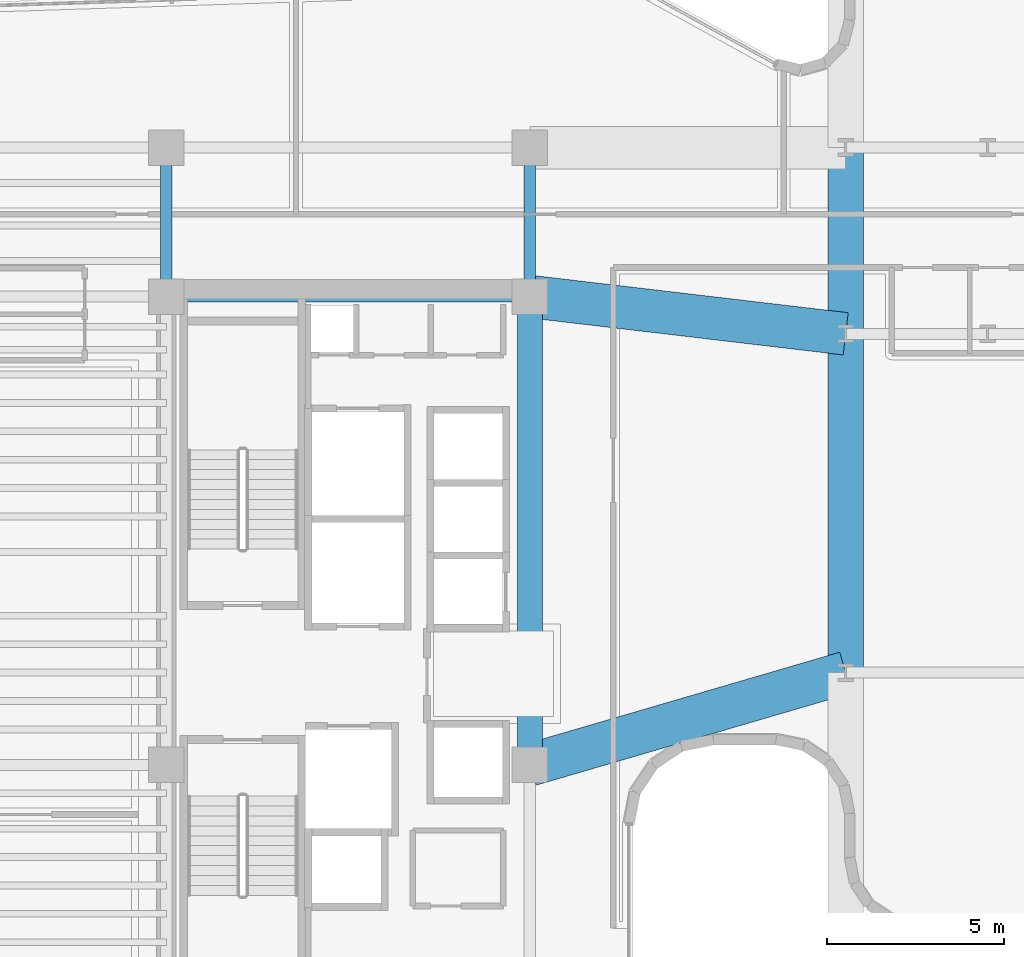
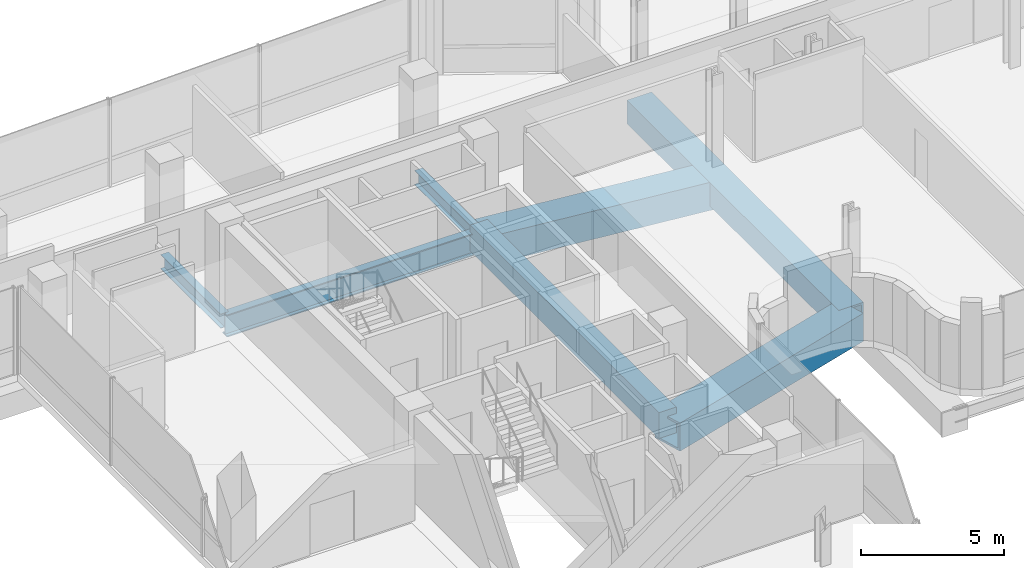
# One storey, part 9 of 35: 7 beams.
"""IFC4 building model written with IfcOpenShell, lengths in metres."""

from ifc_helpers import new_model, si_unit, direction, frame, origin, origin_2d, place, context, subcontext, project, spatial, rectangle, hollow_rectangle, i_section, extrude, source, transform, mapped, material, material_profile, profile_set, type_object, element, save


model = new_model("IFC4")

# Units and contexts
model_context = context("Model", 3, precision=1e-05, world=origin(), true_north=direction((0.0, 1.0)))
body_context = subcontext(model_context, "Body", "Model", "MODEL_VIEW")
ifc_project = project(units=[si_unit("LENGTHUNIT", "METRE"), si_unit("AREAUNIT", "SQUARE_METRE"), si_unit("VOLUMEUNIT", "CUBIC_METRE"), si_unit("PLANEANGLEUNIT", "RADIAN"), si_unit("MASSUNIT", "GRAM", prefix="KILO")], contexts=[model_context])

# Site, building, storey
site_placement = place(None, origin())
site = spatial("IfcSite", under=ifc_project, at=site_placement, CompositionType="ELEMENT")
building_placement = place(site_placement, origin())
building = spatial("IfcBuilding", under=site, at=building_placement, Name="Valdorenza Pilgrim Sanctuary Tower", CompositionType="ELEMENT")
storey_placement = place(building_placement, frame((0.0, 0.0, 192.35009765625)))
storey = spatial("IfcBuildingStorey", under=building, at=storey_placement, Name="L49", CompositionType="ELEMENT", Elevation=192.35009765625)

# Beams
ifc_material_1 = material(Name="Concrete C50/60", Category="concrete")
ifc_material_profile_1 = material_profile(ifc_material_1, rectangle(XDim=0.699951171875, YDim=1.10009765625, at=origin_2d()), Name="RC 1100x700")
ifc_profile_set_1 = profile_set([ifc_material_profile_1], Name="Concrete C50/60")
beam_type_1 = type_object("IfcBeamType", Name="STR-BM-LNT-1100", PredefinedType="LINTEL", material=ifc_profile_set_1)
shared_shape_1 = source(origin(), body_context, "Body", "SweptSolid", [
    extrude(rectangle(XDim=0.699951171875, YDim=1.10009765625, at=origin_2d()), origin(), (0.0, 0.0, 1.0), 13.2001953125),
])
beam_1_placement = place(storey_placement, frame((-12.39990234375, -2.60009765625, -0.590087890625), z_axis=(0.0, 1.0, 0.0), x_axis=(-1.0, 0.0, 0.0)))
element("IfcBeam", 1, at=beam_1_placement, inside=storey, type_object=beam_type_1, Name="L49 Core A Coupling Lintel Girder", PredefinedType="LINTEL", context=body_context, shape_type="MappedRepresentation", body=[
    mapped(shared_shape_1, transform((0.0, 0.0, 0.0), x_axis=(1.0, 0.0, 0.0), y_axis=(0.0, 1.0, 0.0), z_axis=(0.0, 0.0, 1.0), scale=1.0)),
])
ifc_material_2 = material(Name="Steel ASTM A992 Grade 50", Category="steel")
ifc_material_profile_2 = material_profile(ifc_material_2, i_section(OverallWidth=0.323974609375, OverallDepth=0.611083984375, WebThickness=0.0126953125, FlangeThickness=0.01904296875, at=origin_2d()), Name="W24X104")
ifc_profile_set_2 = profile_set([ifc_material_profile_2], Name="Steel ASTM A992 Grade 50")
beam_type_2 = type_object("IfcBeamType", Name="STR-BM-GRD-W24B", PredefinedType="BEAM", material=ifc_profile_set_2)
shared_shape_2 = source(origin(), body_context, "Body", "SweptSolid", [
    extrude(i_section(OverallWidth=0.323974609375, OverallDepth=0.611083984375, WebThickness=0.0126953125, FlangeThickness=0.01904296875, at=origin_2d()), origin(), (0.0, 0.0, 1.0), 4.199951171875),
])
for number, where, z_axis, x_axis, name in (
    (2, (-22.64990234375, 10.60009765625, -0.62548828125), (0.0, 1.0, 0.0), (-1.0, 0.0, 0.0), "L49 Core Tie Girder CA-W-N1N2"),
    (3, (-12.39990234375, 10.60009765625, -0.62548828125), (0.0, 1.0, 0.0), (-1.0, 0.0, 0.0), "L49 Core Tie Girder CA-E-N1N2"),
):
    element("IfcBeam", number, at=place(storey_placement, frame(where, z_axis=z_axis, x_axis=x_axis)), inside=storey, type_object=beam_type_2, Name=name, PredefinedType="BEAM", context=body_context, shape_type="MappedRepresentation", body=[
        mapped(shared_shape_2, transform((0.0, 0.0, 0.0), x_axis=(1.0, 0.0, 0.0), y_axis=(0.0, 1.0, 0.0), z_axis=(0.0, 0.0, 1.0), scale=1.0)),
    ])
ifc_material_profile_3 = material_profile(ifc_material_2, i_section(OverallWidth=0.31005859375, OverallDepth=0.949951171875, WebThickness=0.0244140625, FlangeThickness=0.0439453125, at=origin_2d()), Name="W36X256")
ifc_profile_set_3 = profile_set([ifc_material_profile_3], Name="Steel ASTM A992 Grade 50")
beam_type_3 = type_object("IfcBeamType", Name="STR-BM-GRD-W36B", PredefinedType="BEAM", material=ifc_profile_set_3)
shared_shape_3 = source(origin(), body_context, "Body", "SweptSolid", [
    extrude(i_section(OverallWidth=0.31005859375, OverallDepth=0.949951171875, WebThickness=0.0244140625, FlangeThickness=0.0439453125, at=origin_2d()), origin(), (0.0, 0.0, 1.0), 10.25),
])
beam_2_placement = place(storey_placement, frame((-22.64990234375, 10.60009765625, -0.795166015625), z_axis=(1.0, 0.0, 0.0), x_axis=(0.0, 1.0, 0.0)))
element("IfcBeam", 4, at=beam_2_placement, inside=storey, type_object=beam_type_3, Name="L49 Floor Girder CA-XC-N1", PredefinedType="BEAM", context=body_context, shape_type="MappedRepresentation", body=[
    mapped(shared_shape_3, transform((0.0, 0.0, 0.0), x_axis=(1.0, 0.0, 0.0), y_axis=(0.0, 1.0, 0.0), z_axis=(0.0, 0.0, 1.0), scale=1.0)),
])
ifc_material_3 = material(Name="Steel ASTM A572 Grade 42", Category="steel")
ifc_material_profile_4 = material_profile(ifc_material_3, hollow_rectangle(XDim=1.199951171875, YDim=1.199951171875, WallThickness=0.090087890625, at=origin_2d()), Name="BOX 1200x1200x90")
ifc_profile_set_4 = profile_set([ifc_material_profile_4], Name="Steel ASTM A572 Grade 42")
beam_type_4 = type_object("IfcBeamType", Name="STR-BM-TRF-1200", PredefinedType="BEAM", material=ifc_profile_set_4)
shared_shape_4 = source(origin(), body_context, "Body", "SweptSolid", [
    extrude(hollow_rectangle(XDim=1.199951171875, YDim=1.199951171875, WallThickness=0.090087890625, at=origin_2d()), origin(), (0.0, 0.0, 1.0), 9.27197265625),
])
beam_3_placement = place(storey_placement, frame((-12.39990234375, -2.60009765625, -0.920166015625), z_axis=(0.959875453664, 0.280426663234, 0.0), x_axis=(-0.280426663234, 0.959875453664, 0.0)))
element("IfcBeam", 5, at=beam_3_placement, inside=storey, type_object=beam_type_4, Name="L49 Portal Bridge Transfer Girder PRY-G1-P0", PredefinedType="BEAM", context=body_context, shape_type="MappedRepresentation", body=[
    mapped(shared_shape_4, transform((0.0, 0.0, 0.0), x_axis=(1.0, 0.0, 0.0), y_axis=(0.0, 1.0, 0.0), z_axis=(0.0, 0.0, 1.0), scale=1.0)),
])
shared_shape_5 = source(origin(), body_context, "Body", "SweptSolid", [
    extrude(hollow_rectangle(XDim=1.199951171875, YDim=1.199951171875, WallThickness=0.090087890625, at=origin_2d()), origin(), (0.0, 0.0, 1.0), 8.961669921875),
])
beam_4_placement = place(storey_placement, frame((-12.39990234375, 10.60009765625, -0.920166015625), z_axis=(0.993111684121, -0.117171595803, 0.0), x_axis=(0.117171595803, 0.993111684121, 0.0)))
element("IfcBeam", 6, at=beam_4_placement, inside=storey, type_object=beam_type_4, Name="L49 Portal Bridge Transfer Girder PRY-G1-P9", PredefinedType="BEAM", context=body_context, shape_type="MappedRepresentation", body=[
    mapped(shared_shape_5, transform((0.0, 0.0, 0.0), x_axis=(1.0, 0.0, 0.0), y_axis=(0.0, 1.0, 0.0), z_axis=(0.0, 0.0, 1.0), scale=1.0)),
])
ifc_material_profile_5 = material_profile(ifc_material_3, hollow_rectangle(XDim=1.0, YDim=1.0, WallThickness=0.080078125, at=origin_2d()), Name="BOX 1000x1000x80")
ifc_profile_set_5 = profile_set([ifc_material_profile_5], Name="Steel ASTM A572 Grade 42")
beam_type_5 = type_object("IfcBeamType", Name="STR-BM-PROW-CANT", PredefinedType="BEAM", material=ifc_profile_set_5)
shared_shape_6 = source(origin(), body_context, "Body", "SweptSolid", [
    extrude(hollow_rectangle(XDim=1.0, YDim=1.0, WallThickness=0.080078125, at=origin_2d()), origin(), (0.0, 0.0, 1.0), 14.800048828125),
])
beam_5_placement = place(storey_placement, frame((-3.5, 0.0, -0.820068359375), z_axis=(0.0, 1.0, 0.0), x_axis=(-1.0, 0.0, 0.0)))
element("IfcBeam", 7, at=beam_5_placement, inside=storey, type_object=beam_type_5, Name="L49 Sanctuary Backspan Girder PROW-BACK-N-W", PredefinedType="BEAM", context=body_context, shape_type="MappedRepresentation", body=[
    mapped(shared_shape_6, transform((0.0, 0.0, 0.0), x_axis=(1.0, 0.0, 0.0), y_axis=(0.0, 1.0, 0.0), z_axis=(0.0, 0.0, 1.0), scale=1.0)),
])

save(model, "model.ifc")
